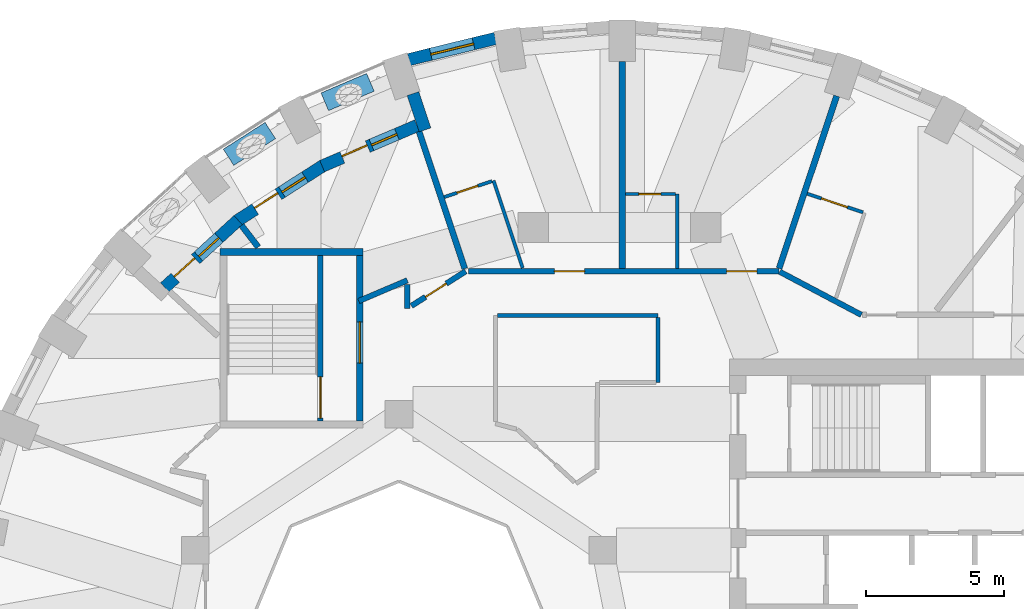
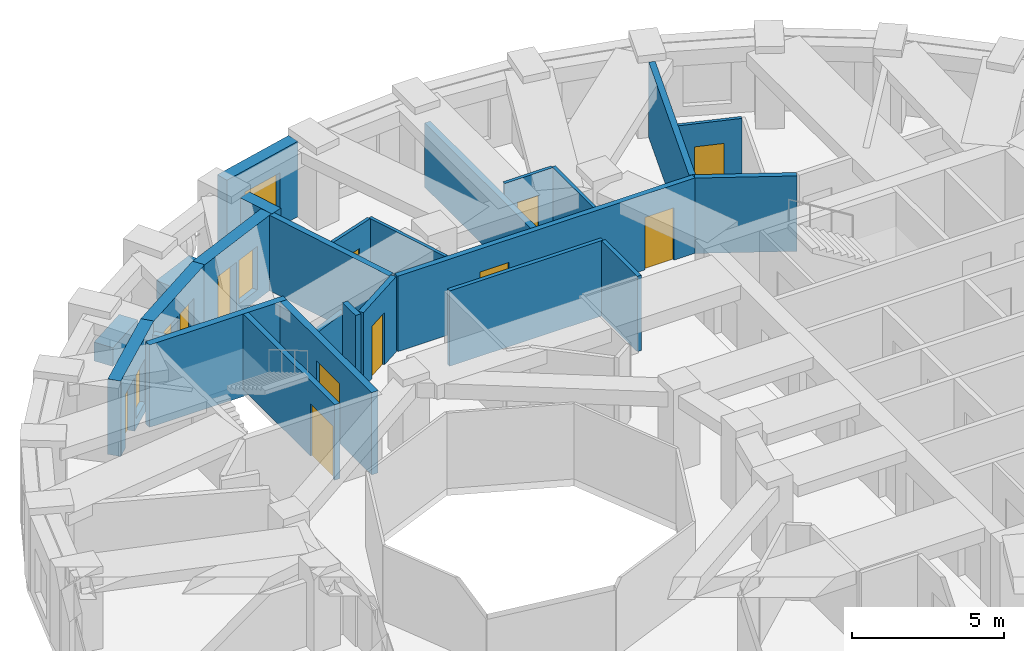
# One storey, part 7 of 12: 26 walls, 11 doors, 4 windows, 15 openings.
"""IFC4 building model written with IfcOpenShell, lengths in metres."""

from ifc_helpers import new_model, si_unit, direction, frame, frame_2d, origin, place, context, subcontext, project, spatial, rectangle, extrude, material, layer, layer_set, constituent, constituent_set, type_object, element, fill, save


model = new_model("IFC4")

# Units and contexts
model_context = context("Model", 3, precision=1e-05, world=origin(), true_north=direction((0.0, 1.0)))
body_context = subcontext(model_context, "Body", "Model", "MODEL_VIEW")
ifc_project = project(units=[si_unit("LENGTHUNIT", "METRE"), si_unit("AREAUNIT", "SQUARE_METRE"), si_unit("VOLUMEUNIT", "CUBIC_METRE"), si_unit("PLANEANGLEUNIT", "RADIAN"), si_unit("MASSUNIT", "GRAM", prefix="KILO")], contexts=[model_context])

# Site, building, storey
site_placement = place(None, origin())
site = spatial("IfcSite", under=ifc_project, at=site_placement, CompositionType="ELEMENT")
building_placement = place(site_placement, origin())
building = spatial("IfcBuilding", under=site, at=building_placement, Name="Taillehof Tower", CompositionType="ELEMENT")
storey_placement = place(building_placement, frame((0.0, 0.0, 168.199951171875)))
storey = spatial("IfcBuildingStorey", under=building, at=storey_placement, Name="L47", CompositionType="ELEMENT", Elevation=168.199951171875)

# Wall, opening, window
ifc_material_1 = material(Name="Brick masonry", Category="masonry")
ifc_layer_1 = layer(ifc_material_1, 0.449951171875)
ifc_layer_set_1 = layer_set([ifc_layer_1], Name="Brick infill wall 450")
wall_type_1 = type_object("IfcWallType", Name="Brick infill wall 450", PredefinedType="SOLIDWALL", material=ifc_layer_set_1)
wall_1_placement = place(storey_placement, frame((-4.499267578125, 21.633056640625, 0.0), z_axis=(0.0, 0.0, 1.0), x_axis=(-0.971232901476, -0.238131583563, 0.0)))
wall_1 = element("IfcWall", 1, at=wall_1_placement, inside=storey, type_object=wall_type_1, Name="Brick wall L47 bay 11", PredefinedType="SOLIDWALL", context=body_context, shape_type="SweptSolid", body=[
    extrude(rectangle(XDim=3.236572265625, YDim=0.449951171875, at=frame_2d((1.6181640625, 0.0))), origin(), (0.0, 0.0, 1.0), 3.02001953125),
])
opening_1_placement = place(wall_1_placement, frame((0.818359375, 0.0, 0.39990234375)))
opening_1 = element("IfcOpeningElement", 2, at=opening_1_placement, cuts=wall_1, Name="Opening W3", PredefinedType="OPENING", context=body_context, shape_type="SweptSolid", body=[
    extrude(rectangle(XDim=1.60009765625, YDim=1.75, at=frame_2d((0.800048828125, 0.875))), frame((0.0, 0.23486328125, 0.0), z_axis=(0.0, -1.0, 0.0), x_axis=(1.0, 0.0, 0.0)), (0.0, 0.0, 1.0), 0.469970703125),
])
ifc_material_2 = material(Name="Aluminium window frame with clear double glazing", Category="aluminium")
window_type_1 = type_object("IfcWindowType", Name="Deep-set window 1600x1750", PartitioningType="SINGLE_PANEL", PredefinedType="WINDOW", material=ifc_material_2)
window_1_placement = place(opening_1_placement, origin())
window_1 = element("IfcWindow", 3, at=window_1_placement, inside=storey, type_object=window_type_1, Name="W3", OverallHeight=1.75, OverallWidth=1.60009765625, PartitioningType="SINGLE_PANEL", PredefinedType="WINDOW", context=body_context, shape_type="SweptSolid", body=[
    extrude(rectangle(XDim=1.60009765625, YDim=1.75, at=frame_2d((0.800048828125, 0.875))), frame((0.0, 0.034912109375, 0.0), z_axis=(0.0, -1.0, 0.0), x_axis=(1.0, 0.0, 0.0)), (0.0, 0.0, 1.0), 0.06005859375),
])
fill(opening_1, window_1)

# Wall
wall_2_placement = place(storey_placement, frame((-7.494873046875, 19.62890625, 0.0), z_axis=(0.0, 0.0, 1.0), x_axis=(0.316754470825, -0.948507567293, 0.0)))
element("IfcWall", 4, at=wall_2_placement, inside=storey, type_object=wall_type_1, Name="Brick reveal L47 pocket 3", PredefinedType="SOLIDWALL", context=body_context, shape_type="SweptSolid", body=[
    extrude(rectangle(XDim=1.390380859375, YDim=0.449951171875, at=frame_2d((0.6953125, 0.0))), origin(), (0.0, 0.0, 1.0), 3.02001953125),
])

# Wall, openings, door, window
wall_3_placement = place(storey_placement, frame((-7.34521484375, 18.470458984375, 0.0), z_axis=(0.0, 0.0, 1.0), x_axis=(-0.919454986573, -0.393195279304, 0.0)))
wall_3 = element("IfcWall", 5, at=wall_3_placement, inside=storey, type_object=wall_type_1, Name="Brick wall L47 pocket bay 12", PredefinedType="SOLIDWALL", context=body_context, shape_type="SweptSolid", body=[
    extrude(rectangle(XDim=3.74462890625, YDim=0.449951171875, at=frame_2d((1.872314453125, 0.0))), origin(), (0.0, 0.0, 1.0), 3.02001953125),
])
opening_2_placement = place(wall_3_placement, frame((0.79736328125, 0.0, 0.39990234375)))
opening_2 = element("IfcOpeningElement", 6, at=opening_2_placement, cuts=wall_3, Name="Opening W5", PredefinedType="OPENING", context=body_context, shape_type="SweptSolid", body=[
    extrude(rectangle(XDim=1.0, YDim=1.75, at=frame_2d((0.5, 0.875))), frame((0.0, 0.23486328125, 0.0), z_axis=(0.0, -1.0, 0.0), x_axis=(1.0, 0.0, 0.0)), (0.0, 0.0, 1.0), 0.469970703125),
])
opening_3_placement = place(wall_3_placement, frame((1.947265625, 0.0, 0.0)))
opening_3 = element("IfcOpeningElement", 7, at=opening_3_placement, cuts=wall_3, Name="Opening D4791", PredefinedType="OPENING", context=body_context, shape_type="SweptSolid", body=[
    extrude(rectangle(XDim=1.0, YDim=2.14990234375, at=frame_2d((0.5, 1.074951171875))), frame((0.0, 0.23486328125, 0.0), z_axis=(0.0, -1.0, 0.0), x_axis=(1.0, 0.0, 0.0)), (0.0, 0.0, 1.0), 0.469970703125),
])
ifc_material_3 = material(Name="Aluminium door frame with clear double glazing", Category="aluminium")
door_type_1 = type_object("IfcDoorType", Name="Balcony door 1000x2150", OperationType="SINGLE_SWING_RIGHT", PredefinedType="DOOR", material=ifc_material_3)
door_1_placement = place(opening_3_placement, frame((1.0, 0.0, 0.0), z_axis=(0.0, 0.0, 1.0), x_axis=(-1.0, 0.0, 0.0)))
door_1 = element("IfcDoor", 8, at=door_1_placement, inside=storey, type_object=door_type_1, Name="Balcony door L47 bay 12", OperationType="SINGLE_SWING_RIGHT", OverallHeight=2.14990234375, OverallWidth=1.0, PredefinedType="DOOR", context=body_context, shape_type="SweptSolid", body=[
    extrude(rectangle(XDim=1.0, YDim=2.14990234375, at=frame_2d((0.5, 1.074951171875))), frame((0.0, 0.0751953125, 0.0), z_axis=(0.0, -1.0, 0.0), x_axis=(1.0, 0.0, 0.0)), (0.0, 0.0, 1.0), 0.050048828125),
])
fill(opening_3, door_1)
ifc_material_4 = material(Name="Aluminium window frame with clear double glazing", Category="aluminium")
window_type_2 = type_object("IfcWindowType", Name="Fixed window 1000x1750", PartitioningType="SINGLE_PANEL", PredefinedType="WINDOW", material=ifc_material_4)
window_2_placement = place(opening_2_placement, origin())
window_2 = element("IfcWindow", 9, at=window_2_placement, inside=storey, type_object=window_type_2, Name="W5", OverallHeight=1.75, OverallWidth=1.0, PartitioningType="SINGLE_PANEL", PredefinedType="WINDOW", context=body_context, shape_type="SweptSolid", body=[
    extrude(rectangle(XDim=1.0, YDim=1.75, at=frame_2d((0.5, 0.875))), frame((0.0, 0.034912109375, 0.0), z_axis=(0.0, -1.0, 0.0), x_axis=(1.0, 0.0, 0.0)), (0.0, 0.0, 1.0), 0.06005859375),
])
fill(opening_2, window_2)

wall_4_placement = place(storey_placement, frame((-10.755126953125, 17.015625, 0.0), z_axis=(0.0, 0.0, 1.0), x_axis=(-0.841405539996, -0.540404216549, 0.0)))
wall_4 = element("IfcWall", 10, at=wall_4_placement, inside=storey, type_object=wall_type_1, Name="Brick wall L47 pocket bay 13", PredefinedType="SOLIDWALL", context=body_context, shape_type="SweptSolid", body=[
    extrude(rectangle(XDim=3.701904296875, YDim=0.449951171875, at=frame_2d((1.85107421875, 0.0))), origin(), (0.0, 0.0, 1.0), 3.02001953125),
])
opening_4_placement = place(wall_4_placement, frame((0.77587890625, 0.0, 0.39990234375)))
opening_4 = element("IfcOpeningElement", 11, at=opening_4_placement, cuts=wall_4, Name="Opening W5", PredefinedType="OPENING", context=body_context, shape_type="SweptSolid", body=[
    extrude(rectangle(XDim=1.0, YDim=1.75, at=frame_2d((0.5, 0.875))), frame((0.0, 0.23486328125, 0.0), z_axis=(0.0, -1.0, 0.0), x_axis=(1.0, 0.0, 0.0)), (0.0, 0.0, 1.0), 0.469970703125),
])
opening_5_placement = place(wall_4_placement, frame((1.926025390625, 0.0, 0.0)))
opening_5 = element("IfcOpeningElement", 12, at=opening_5_placement, cuts=wall_4, Name="Opening D4792", PredefinedType="OPENING", context=body_context, shape_type="SweptSolid", body=[
    extrude(rectangle(XDim=1.0, YDim=2.14990234375, at=frame_2d((0.5, 1.074951171875))), frame((0.0, 0.23486328125, 0.0), z_axis=(0.0, -1.0, 0.0), x_axis=(1.0, 0.0, 0.0)), (0.0, 0.0, 1.0), 0.469970703125),
])
door_2_placement = place(opening_5_placement, frame((1.0, 0.0, 0.0), z_axis=(0.0, 0.0, 1.0), x_axis=(-1.0, 0.0, 0.0)))
door_2 = element("IfcDoor", 13, at=door_2_placement, inside=storey, type_object=door_type_1, Name="Balcony door L47 bay 13", OperationType="SINGLE_SWING_LEFT", OverallHeight=2.14990234375, OverallWidth=1.0, PredefinedType="DOOR", context=body_context, shape_type="SweptSolid", body=[
    extrude(rectangle(XDim=1.0, YDim=2.14990234375, at=frame_2d((0.5, 1.074951171875))), frame((0.0, 0.0751953125, 0.0), z_axis=(0.0, -1.0, 0.0), x_axis=(1.0, 0.0, 0.0)), (0.0, 0.0, 1.0), 0.050048828125),
])
fill(opening_5, door_2)
window_3_placement = place(opening_4_placement, origin())
window_3 = element("IfcWindow", 14, at=window_3_placement, inside=storey, type_object=window_type_2, Name="W5", OverallHeight=1.75, OverallWidth=1.0, PartitioningType="SINGLE_PANEL", PredefinedType="WINDOW", context=body_context, shape_type="SweptSolid", body=[
    extrude(rectangle(XDim=1.0, YDim=1.75, at=frame_2d((0.5, 0.875))), frame((0.0, 0.034912109375, 0.0), z_axis=(0.0, -1.0, 0.0), x_axis=(1.0, 0.0, 0.0)), (0.0, 0.0, 1.0), 0.06005859375),
])
fill(opening_4, window_3)

wall_5_placement = place(storey_placement, frame((-13.83935546875, 15.03857421875, 0.0), z_axis=(0.0, 0.0, 1.0), x_axis=(-0.736971705023, -0.675923594791, 0.0)))
wall_5 = element("IfcWall", 15, at=wall_5_placement, inside=storey, type_object=wall_type_1, Name="Brick wall L47 pocket bay 14", PredefinedType="SOLIDWALL", context=body_context, shape_type="SweptSolid", body=[
    extrude(rectangle(XDim=3.611328125, YDim=0.449951171875, at=frame_2d((1.8056640625, 0.0))), origin(), (0.0, 0.0, 1.0), 3.02001953125),
])
opening_6_placement = place(wall_5_placement, frame((0.94580078125, 0.0, 0.39990234375)))
opening_6 = element("IfcOpeningElement", 16, at=opening_6_placement, cuts=wall_5, Name="Opening W5", PredefinedType="OPENING", context=body_context, shape_type="SweptSolid", body=[
    extrude(rectangle(XDim=1.0, YDim=1.75, at=frame_2d((0.5, 0.875))), frame((0.0, 0.23486328125, 0.0), z_axis=(0.0, -1.0, 0.0), x_axis=(1.0, 0.0, 0.0)), (0.0, 0.0, 1.0), 0.469970703125),
])
opening_7_placement = place(wall_5_placement, frame((2.095947265625, 0.0, 0.0)))
opening_7 = element("IfcOpeningElement", 17, at=opening_7_placement, cuts=wall_5, Name="Opening D4793", PredefinedType="OPENING", context=body_context, shape_type="SweptSolid", body=[
    extrude(rectangle(XDim=1.0, YDim=2.14990234375, at=frame_2d((0.5, 1.074951171875))), frame((0.0, 0.23486328125, 0.0), z_axis=(0.0, -1.0, 0.0), x_axis=(1.0, 0.0, 0.0)), (0.0, 0.0, 1.0), 0.469970703125),
])
door_3_placement = place(opening_7_placement, origin())
door_3 = element("IfcDoor", 18, at=door_3_placement, inside=storey, type_object=door_type_1, Name="Balcony door L47 bay 14", OperationType="SINGLE_SWING_LEFT", OverallHeight=2.14990234375, OverallWidth=1.0, PredefinedType="DOOR", context=body_context, shape_type="SweptSolid", body=[
    extrude(rectangle(XDim=1.0, YDim=2.14990234375, at=frame_2d((0.5, 1.074951171875))), frame((0.0, -0.02490234375, 0.0), z_axis=(0.0, -1.0, 0.0), x_axis=(1.0, 0.0, 0.0)), (0.0, 0.0, 1.0), 0.050048828125),
])
fill(opening_7, door_3)
window_4_placement = place(opening_6_placement, origin())
window_4 = element("IfcWindow", 19, at=window_4_placement, inside=storey, type_object=window_type_2, Name="W5", OverallHeight=1.75, OverallWidth=1.0, PartitioningType="SINGLE_PANEL", PredefinedType="WINDOW", context=body_context, shape_type="SweptSolid", body=[
    extrude(rectangle(XDim=1.0, YDim=1.75, at=frame_2d((0.5, 0.875))), frame((0.0, 0.034912109375, 0.0), z_axis=(0.0, -1.0, 0.0), x_axis=(1.0, 0.0, 0.0)), (0.0, 0.0, 1.0), 0.06005859375),
])
fill(opening_6, window_4)

# Walls
ifc_material_5 = material(Name="Gypsum board on steel studs, two layers each side", Category="steel")
ifc_layer_2 = layer(ifc_material_5, 0.199951171875)
ifc_layer_set_2 = layer_set([ifc_layer_2], Name="Compartment wall corridor 200")
wall_type_2 = type_object("IfcWallType", Name="Compartment wall corridor 200", PredefinedType="PARTITIONING", material=ifc_layer_set_2)
wall_6_placement = place(storey_placement, frame((-9.46044921875, 12.1005859375, 0.0), z_axis=(0.0, 0.0, 1.0), x_axis=(0.919441549003, 0.393226700475, 0.0)))
element("IfcWall", 20, at=wall_6_placement, inside=storey, type_object=wall_type_2, Name="Compartment wall", PredefinedType="PARTITIONING", context=body_context, shape_type="SweptSolid", body=[
    extrude(rectangle(XDim=1.914794921875, YDim=0.199951171875, at=frame_2d((0.95751953125, 0.0))), origin(), (0.0, 0.0, 1.0), 2.570068359375),
])
wall_7_placement = place(storey_placement, frame((-7.699951171875, 12.693359375, 0.0), z_axis=(0.0, 0.0, 1.0), x_axis=(0.0, -1.0, 0.0)))
element("IfcWall", 21, at=wall_7_placement, inside=storey, type_object=wall_type_2, Name="Compartment wall", PredefinedType="PARTITIONING", context=body_context, shape_type="SweptSolid", body=[
    extrude(rectangle(XDim=0.864013671875, YDim=0.199951171875, at=frame_2d((0.43212890625, 0.0))), origin(), (0.0, 0.0, 1.0), 3.02001953125),
])

# Wall, opening, door
wall_8_placement = place(storey_placement, frame((-7.54833984375, 11.926025390625, 0.0), z_axis=(0.0, 0.0, 1.0), x_axis=(0.842760799664, 0.538288244855, 0.0)))
wall_8 = element("IfcWall", 22, at=wall_8_placement, inside=storey, type_object=wall_type_2, Name="Compartment wall", PredefinedType="PARTITIONING", context=body_context, shape_type="SweptSolid", body=[
    extrude(rectangle(XDim=2.335693359375, YDim=0.199951171875, at=frame_2d((1.16796875, 0.0))), origin(), (0.0, 0.0, 1.0), 3.02001953125),
])
opening_8_placement = place(wall_8_placement, frame((0.602294921875, 0.0, 0.0)))
opening_8 = element("IfcOpeningElement", 23, at=opening_8_placement, cuts=wall_8, Name="Opening D4746", PredefinedType="OPENING", context=body_context, shape_type="SweptSolid", body=[
    extrude(rectangle(XDim=0.89990234375, YDim=2.10009765625, at=frame_2d((0.449951171875, 1.050048828125))), frame((0.0, 0.10986328125, 0.0), z_axis=(0.0, -1.0, 0.0), x_axis=(1.0, 0.0, 0.0)), (0.0, 0.0, 1.0), 0.219970703125),
])
ifc_material_6 = material(Name="Timber door leaf in steel frame", Category="steel")
door_type_2 = type_object("IfcDoorType", Name="Service room door EI 30 900 x 2100", OperationType="SINGLE_SWING_LEFT", PredefinedType="DOOR", material=ifc_material_6)
door_4_placement = place(opening_8_placement, origin())
door_4 = element("IfcDoor", 24, at=door_4_placement, inside=storey, type_object=door_type_2, Name="D4746", OperationType="SINGLE_SWING_LEFT", OverallHeight=2.10009765625, OverallWidth=0.89990234375, PredefinedType="DOOR", context=body_context, shape_type="SweptSolid", body=[
    extrude(rectangle(XDim=0.89990234375, YDim=2.10009765625, at=frame_2d((0.449951171875, 1.050048828125))), frame((0.0, 0.02490234375, 0.0), z_axis=(0.0, -1.0, 0.0), x_axis=(1.0, 0.0, 0.0)), (0.0, 0.0, 1.0), 0.050048828125),
])
fill(opening_8, door_4)

# Wall, openings, doors
wall_9_placement = place(storey_placement, frame((-5.479736328125, 13.183349609375, 0.0), z_axis=(0.0, 0.0, 1.0), x_axis=(1.0, 0.0, 0.0)))
wall_9 = element("IfcWall", 25, at=wall_9_placement, inside=storey, type_object=wall_type_2, Name="Compartment wall", PredefinedType="PARTITIONING", context=body_context, shape_type="SweptSolid", body=[
    extrude(rectangle(XDim=11.259765625, YDim=0.199951171875, at=frame_2d((5.6298828125, 0.0))), origin(), (0.0, 0.0, 1.0), 3.02001953125),
])
opening_9_placement = place(wall_9_placement, frame((9.368408203125, 0.0, 0.0)))
opening_9 = element("IfcOpeningElement", 26, at=opening_9_placement, cuts=wall_9, Name="Opening D4742", PredefinedType="OPENING", context=body_context, shape_type="SweptSolid", body=[
    extrude(rectangle(XDim=1.10009765625, YDim=2.10009765625, at=frame_2d((0.550048828125, 1.050048828125))), frame((0.0, 0.10986328125, 0.0), z_axis=(0.0, -1.0, 0.0), x_axis=(1.0, 0.0, 0.0)), (0.0, 0.0, 1.0), 0.219970703125),
])
opening_10_placement = place(wall_9_placement, frame((3.114501953125, 0.0, 0.0)))
opening_10 = element("IfcOpeningElement", 27, at=opening_10_placement, cuts=wall_9, Name="Opening D4744", PredefinedType="OPENING", context=body_context, shape_type="SweptSolid", body=[
    extrude(rectangle(XDim=1.10009765625, YDim=2.10009765625, at=frame_2d((0.550048828125, 1.050048828125))), frame((0.0, 0.10986328125, 0.0), z_axis=(0.0, -1.0, 0.0), x_axis=(1.0, 0.0, 0.0)), (0.0, 0.0, 1.0), 0.219970703125),
])
ifc_material_7 = material(Name="Timber door leaf in steel frame", Category="steel")
door_type_3 = type_object("IfcDoorType", Name="Suite entrance door EI 30 1100 x 2100", OperationType="SINGLE_SWING_LEFT", PredefinedType="DOOR", material=ifc_material_7)
door_5_placement = place(opening_9_placement, origin())
door_5 = element("IfcDoor", 28, at=door_5_placement, inside=storey, type_object=door_type_3, Name="D4742", OperationType="SINGLE_SWING_RIGHT", OverallHeight=2.10009765625, OverallWidth=1.10009765625, PredefinedType="DOOR", context=body_context, shape_type="SweptSolid", body=[
    extrude(rectangle(XDim=1.10009765625, YDim=2.10009765625, at=frame_2d((0.550048828125, 1.050048828125))), frame((0.0, 0.02490234375, 0.0), z_axis=(0.0, -1.0, 0.0), x_axis=(1.0, 0.0, 0.0)), (0.0, 0.0, 1.0), 0.050048828125),
])
fill(opening_9, door_5)
door_6_placement = place(opening_10_placement, origin())
door_6 = element("IfcDoor", 29, at=door_6_placement, inside=storey, type_object=door_type_3, Name="D4744", OperationType="SINGLE_SWING_LEFT", OverallHeight=2.10009765625, OverallWidth=1.10009765625, PredefinedType="DOOR", context=body_context, shape_type="SweptSolid", body=[
    extrude(rectangle(XDim=1.10009765625, YDim=2.10009765625, at=frame_2d((0.550048828125, 1.050048828125))), frame((0.0, 0.02490234375, 0.0), z_axis=(0.0, -1.0, 0.0), x_axis=(1.0, 0.0, 0.0)), (0.0, 0.0, 1.0), 0.050048828125),
])
fill(opening_10, door_6)

# Walls
wall_10_placement = place(storey_placement, frame((5.815185546875, 13.164794921875, 0.0), z_axis=(0.0, 0.0, 1.0), x_axis=(0.884172365794, -0.46716081553, 0.0)))
element("IfcWall", 30, at=wall_10_placement, inside=storey, type_object=wall_type_2, Name="Compartment wall", PredefinedType="PARTITIONING", context=body_context, shape_type="SweptSolid", body=[
    extrude(rectangle(XDim=3.349365234375, YDim=0.199951171875, at=frame_2d((1.6748046875, 0.0))), origin(), (0.0, 0.0, 1.0), 3.02001953125),
])
ifc_material_8 = material(Name="Gypsum board on double steel studs with mineral wool", Category="steel")
ifc_layer_3 = layer(ifc_material_8, 0.219970703125)
ifc_layer_set_3 = layer_set([ifc_layer_3], Name="Compartment wall guest room 220")
wall_type_3 = type_object("IfcWallType", Name="Compartment wall guest room 220", PredefinedType="PARTITIONING", material=ifc_layer_set_3)
wall_11_placement = place(storey_placement, frame((7.8828125, 19.544921875, 0.0), z_axis=(0.0, 0.0, 1.0), x_axis=(-0.316704947573, -0.948524104166, 0.0)))
element("IfcWall", 31, at=wall_11_placement, inside=storey, type_object=wall_type_3, Name="Compartment wall", PredefinedType="PARTITIONING", context=body_context, shape_type="SweptSolid", body=[
    extrude(rectangle(XDim=6.599365234375, YDim=0.219970703125, at=frame_2d((3.2998046875, 0.0))), origin(), (0.0, 0.0, 1.0), 3.02001953125),
])
wall_12_placement = place(storey_placement, frame((0.10009765625, 20.800048828125, 0.0), z_axis=(0.0, 0.0, 1.0), x_axis=(0.0, -1.0, 0.0)))
element("IfcWall", 32, at=wall_12_placement, inside=storey, type_object=wall_type_3, Name="Compartment wall", PredefinedType="PARTITIONING", context=body_context, shape_type="SweptSolid", body=[
    extrude(rectangle(XDim=7.5166015625, YDim=0.219970703125, at=frame_2d((3.75830078125, 0.0))), origin(), (0.0, 0.0, 1.0), 2.570068359375),
])
wall_13_placement = place(storey_placement, frame((-7.27392578125, 18.25634765625, 0.0), z_axis=(0.0, 0.0, 1.0), x_axis=(0.316758050248, -0.948506371936, 0.0)))
element("IfcWall", 33, at=wall_13_placement, inside=storey, type_object=wall_type_3, Name="Compartment wall", PredefinedType="PARTITIONING", context=body_context, shape_type="SweptSolid", body=[
    extrude(rectangle(XDim=5.248046875, YDim=0.219970703125, at=frame_2d((2.6240234375, 0.0))), origin(), (0.0, 0.0, 1.0), 3.02001953125),
])
wall_14_placement = place(storey_placement, frame((-13.716064453125, 14.846435546875, 0.0), z_axis=(0.0, 0.0, 1.0), x_axis=(0.609971806764, -0.792423116115, 0.0)))
element("IfcWall", 34, at=wall_14_placement, inside=storey, type_object=wall_type_3, Name="Compartment wall", PredefinedType="PARTITIONING", context=body_context, shape_type="SweptSolid", body=[
    extrude(rectangle(XDim=0.994140625, YDim=0.219970703125, at=frame_2d((0.4970703125, 0.0))), origin(), (0.0, 0.0, 1.0), 2.570068359375),
])
ifc_material_9 = material(Name="Gypsum board on steel studs, two layers each side", Category="steel")
ifc_layer_4 = layer(ifc_material_9, 0.14990234375)
ifc_layer_set_4 = layer_set([ifc_layer_4], Name="Compartment wall service room 150")
wall_type_4 = type_object("IfcWallType", Name="Compartment wall service room 150", PredefinedType="PARTITIONING", material=ifc_layer_set_4)
wall_15_placement = place(storey_placement, frame((-4.419921875, 11.583251953125, 0.0), z_axis=(0.0, 0.0, 1.0), x_axis=(1.0, 0.0, 0.0)))
element("IfcWall", 35, at=wall_15_placement, inside=storey, type_object=wall_type_4, Name="Compartment wall", PredefinedType="PARTITIONING", context=body_context, shape_type="SweptSolid", body=[
    extrude(rectangle(XDim=5.81982421875, YDim=0.14990234375, at=frame_2d((2.909912109375, 0.0))), origin(), (0.0, 0.0, 1.0), 3.02001953125),
])
wall_16_placement = place(storey_placement, frame((1.39990234375, 11.503173828125, 0.0), z_axis=(0.0, 0.0, 1.0), x_axis=(0.0, -1.0, 0.0)))
element("IfcWall", 36, at=wall_16_placement, inside=storey, type_object=wall_type_4, Name="Compartment wall", PredefinedType="PARTITIONING", context=body_context, shape_type="SweptSolid", body=[
    extrude(rectangle(XDim=2.353271484375, YDim=0.14990234375, at=frame_2d((1.1767578125, 0.0))), origin(), (0.0, 0.0, 1.0), 3.02001953125),
])
ifc_material_10 = material(Name="Gypsum board on steel studs, moisture resistant", Category="steel")
ifc_layer_5 = layer(ifc_material_10, 0.1201171875)
ifc_layer_set_5 = layer_set([ifc_layer_5], Name="En-suite wall 120")
wall_type_5 = type_object("IfcWallType", Name="En-suite wall 120", PredefinedType="PARTITIONING", material=ifc_layer_set_5)
wall_17_placement = place(storey_placement, frame((2.10009765625, 13.283447265625, 0.0), z_axis=(0.0, 0.0, 1.0), x_axis=(0.0, 1.0, 0.0)))
element("IfcWall", 37, at=wall_17_placement, inside=storey, type_object=wall_type_5, Name="En-suite wall", PredefinedType="PARTITIONING", context=body_context, shape_type="SweptSolid", body=[
    extrude(rectangle(XDim=2.69970703125, YDim=0.1201171875, at=frame_2d((1.349853515625, 0.0))), origin(), (0.0, 0.0, 1.0), 3.02001953125),
])
wall_18_placement = place(storey_placement, frame((-3.51123046875, 13.302490234375, 0.0), z_axis=(0.0, 0.0, 1.0), x_axis=(-0.316666024344, 0.948537099447, 0.0)))
element("IfcWall", 38, at=wall_18_placement, inside=storey, type_object=wall_type_5, Name="En-suite wall", PredefinedType="PARTITIONING", context=body_context, shape_type="SweptSolid", body=[
    extrude(rectangle(XDim=3.34228515625, YDim=0.1201171875, at=frame_2d((1.671142578125, 0.0))), origin(), (0.0, 0.0, 1.0), 3.02001953125),
])

# Wall, opening, door
wall_19_placement = place(storey_placement, frame((8.83349609375, 15.319580078125, 0.0), z_axis=(0.0, 0.0, 1.0), x_axis=(-0.948557130447, 0.316606017438, 0.0)))
wall_19 = element("IfcWall", 39, at=wall_19_placement, inside=storey, type_object=wall_type_5, Name="En-suite wall", PredefinedType="PARTITIONING", context=body_context, shape_type="SweptSolid", body=[
    extrude(rectangle(XDim=2.1298828125, YDim=0.1201171875, at=frame_2d((1.06494140625, 0.0))), origin(), (0.0, 0.0, 1.0), 3.02001953125),
])
opening_11_placement = place(wall_19_placement, frame((0.58984375, 0.0, 0.0)))
opening_11 = element("IfcOpeningElement", 40, at=opening_11_placement, cuts=wall_19, Name="Opening D4741", PredefinedType="OPENING", context=body_context, shape_type="SweptSolid", body=[
    extrude(rectangle(XDim=1.0, YDim=2.10009765625, at=frame_2d((0.5, 1.050048828125))), frame((0.0, 0.070068359375, 0.0), z_axis=(0.0, -1.0, 0.0), x_axis=(1.0, 0.0, 0.0)), (0.0, 0.0, 1.0), 0.14013671875),
])
ifc_material_11 = material(Name="Timber door leaf in steel frame", Category="steel")
door_type_4 = type_object("IfcDoorType", Name="Accessible en-suite door 1000 x 2100", OperationType="SINGLE_SWING_LEFT", PredefinedType="DOOR", material=ifc_material_11)
door_7_placement = place(opening_11_placement, origin())
door_7 = element("IfcDoor", 41, at=door_7_placement, inside=storey, type_object=door_type_4, Name="D4741", OperationType="SINGLE_SWING_LEFT", OverallHeight=2.10009765625, OverallWidth=1.0, PredefinedType="DOOR", context=body_context, shape_type="SweptSolid", body=[
    extrude(rectangle(XDim=1.0, YDim=2.10009765625, at=frame_2d((0.5, 1.050048828125))), frame((0.0, 0.02490234375, 0.0), z_axis=(0.0, -1.0, 0.0), x_axis=(1.0, 0.0, 0.0)), (0.0, 0.0, 1.0), 0.050048828125),
])
fill(opening_11, door_7)

wall_20_placement = place(storey_placement, frame((2.0400390625, 15.983154296875, 0.0), z_axis=(0.0, 0.0, 1.0), x_axis=(-1.0, 0.0, 0.0)))
wall_20 = element("IfcWall", 42, at=wall_20_placement, inside=storey, type_object=wall_type_5, Name="En-suite wall", PredefinedType="PARTITIONING", context=body_context, shape_type="SweptSolid", body=[
    extrude(rectangle(XDim=1.829833984375, YDim=0.1201171875, at=frame_2d((0.9150390625, 0.0))), origin(), (0.0, 0.0, 1.0), 3.02001953125),
])
opening_12_placement = place(wall_20_placement, frame((0.5400390625, 0.0, 0.0)))
opening_12 = element("IfcOpeningElement", 43, at=opening_12_placement, cuts=wall_20, Name="Opening D4743", PredefinedType="OPENING", context=body_context, shape_type="SweptSolid", body=[
    extrude(rectangle(XDim=0.800048828125, YDim=2.10009765625, at=frame_2d((0.39990234375, 1.050048828125))), frame((0.0, 0.070068359375, 0.0), z_axis=(0.0, -1.0, 0.0), x_axis=(1.0, 0.0, 0.0)), (0.0, 0.0, 1.0), 0.14013671875),
])
ifc_material_12 = material(Name="Timber door leaf in steel frame", Category="steel")
door_type_5 = type_object("IfcDoorType", Name="En-suite door 800 x 2100", OperationType="SINGLE_SWING_LEFT", PredefinedType="DOOR", material=ifc_material_12)
door_8_placement = place(opening_12_placement, origin())
door_8 = element("IfcDoor", 44, at=door_8_placement, inside=storey, type_object=door_type_5, Name="D4743", OperationType="SINGLE_SWING_LEFT", OverallHeight=2.10009765625, OverallWidth=0.800048828125, PredefinedType="DOOR", context=body_context, shape_type="SweptSolid", body=[
    extrude(rectangle(XDim=0.800048828125, YDim=2.10009765625, at=frame_2d((0.39990234375, 1.050048828125))), frame((0.0, 0.02490234375, 0.0), z_axis=(0.0, -1.0, 0.0), x_axis=(1.0, 0.0, 0.0)), (0.0, 0.0, 1.0), 0.050048828125),
])
fill(opening_12, door_8)

wall_21_placement = place(storey_placement, frame((-4.62646484375, 16.45361328125, 0.0), z_axis=(0.0, 0.0, 1.0), x_axis=(-0.9485230882, -0.31670799035, 0.0)))
wall_21 = element("IfcWall", 45, at=wall_21_placement, inside=storey, type_object=wall_type_5, Name="En-suite wall", PredefinedType="PARTITIONING", context=body_context, shape_type="SweptSolid", body=[
    extrude(rectangle(XDim=1.830078125, YDim=0.1201171875, at=frame_2d((0.9150390625, 0.0))), origin(), (0.0, 0.0, 1.0), 3.02001953125),
])
opening_13_placement = place(wall_21_placement, frame((0.5400390625, 0.0, 0.0)))
opening_13 = element("IfcOpeningElement", 46, at=opening_13_placement, cuts=wall_21, Name="Opening D4745", PredefinedType="OPENING", context=body_context, shape_type="SweptSolid", body=[
    extrude(rectangle(XDim=0.800048828125, YDim=2.10009765625, at=frame_2d((0.39990234375, 1.050048828125))), frame((0.0, 0.070068359375, 0.0), z_axis=(0.0, -1.0, 0.0), x_axis=(1.0, 0.0, 0.0)), (0.0, 0.0, 1.0), 0.14013671875),
])
door_9_placement = place(opening_13_placement, origin())
door_9 = element("IfcDoor", 47, at=door_9_placement, inside=storey, type_object=door_type_5, Name="D4745", OperationType="SINGLE_SWING_LEFT", OverallHeight=2.10009765625, OverallWidth=0.800048828125, PredefinedType="DOOR", context=body_context, shape_type="SweptSolid", body=[
    extrude(rectangle(XDim=0.800048828125, YDim=2.10009765625, at=frame_2d((0.39990234375, 1.050048828125))), frame((0.0, 0.02490234375, 0.0), z_axis=(0.0, -1.0, 0.0), x_axis=(1.0, 0.0, 0.0)), (0.0, 0.0, 1.0), 0.050048828125),
])
fill(opening_13, door_9)

# Walls
ifc_material_13 = material(Name="Concrete C30/37 precast", Category="concrete")
ifc_constituent_1 = constituent(ifc_material_13, Name="Structure", Category="concrete")
ifc_material_14 = material(Name="Insulated lining")
ifc_constituent_2 = constituent(ifc_material_14, Name="Lining")
ifc_constituent_set = constituent_set(constituents=[ifc_constituent_1, ifc_constituent_2], Name="Planter trough 700x750")
wall_type_6 = type_object("IfcWallType", Name="Planter trough 700x750", PredefinedType="USERDEFINED", material=ifc_constituent_set)
for number, where, z_axis, x_axis, name in (
    (48, (-9.038818359375, 20.03759765625, 0.0), (0.0, 0.0, 1.0), (-0.919810148832, -0.3923637217, 0.0), "Planter L47 bay 12"),
    (49, (-12.67041015625, 18.28857421875, 0.0), (0.0, 0.0, 1.0), (-0.842032375698, -0.539426990682, 0.0), "Planter L47 bay 13"),
):
    element("IfcWall", number, at=place(storey_placement, frame(where, z_axis=z_axis, x_axis=x_axis)), inside=storey, type_object=wall_type_6, Name=name, ObjectType="PLANTER", PredefinedType="USERDEFINED", context=body_context, shape_type="SweptSolid", body=[
        extrude(rectangle(XDim=1.800048828125, YDim=0.699951171875, at=frame_2d((0.89990234375, 0.0))), origin(), (0.0, 0.0, 1.0), 0.75),
    ])

# Wall, opening, door
ifc_material_15 = material(Name="Concrete C50/60", Category="concrete")
ifc_layer_6 = layer(ifc_material_15, 0.199951171875)
ifc_layer_set_6 = layer_set([ifc_layer_6], Name="Shaft wall C50/60 200")
wall_type_7 = type_object("IfcWallType", Name="Shaft wall C50/60 200", PredefinedType="SHEAR", material=ifc_layer_set_6)
wall_22_placement = place(storey_placement, frame((-10.85009765625, 7.75, 0.0), z_axis=(0.0, 0.0, 1.0), x_axis=(0.0, 1.0, 0.0)))
wall_22 = element("IfcWall", 50, at=wall_22_placement, inside=storey, type_object=wall_type_7, Name="Shaft wall SW", PredefinedType="SHEAR", context=body_context, shape_type="SweptSolid", body=[
    extrude(rectangle(XDim=6.0, YDim=0.199951171875, at=frame_2d((3.0, 0.0))), origin(), (0.0, 0.0, 1.0), 3.02001953125),
])
opening_14_placement = place(wall_22_placement, frame((0.10009765625, 0.0, 0.0)))
opening_14 = element("IfcOpeningElement", 51, at=opening_14_placement, cuts=wall_22, Name="Opening D4712", PredefinedType="OPENING", context=body_context, shape_type="SweptSolid", body=[
    extrude(rectangle(XDim=1.5, YDim=2.10009765625, at=frame_2d((0.75, 1.050048828125))), frame((0.0, 0.10986328125, 0.0), z_axis=(0.0, -1.0, 0.0), x_axis=(1.0, 0.0, 0.0)), (0.0, 0.0, 1.0), 0.219970703125),
])
ifc_material_16 = material(Name="Steel-faced fire door", Category="steel")
door_type_6 = type_object("IfcDoorType", Name="Stair door 1500x2100", OperationType="DOUBLE_DOOR_SINGLE_SWING", PredefinedType="DOOR", material=ifc_material_16)
door_10_placement = place(opening_14_placement, origin())
door_10 = element("IfcDoor", 52, at=door_10_placement, inside=storey, type_object=door_type_6, Name="Stair lobby door S3", OperationType="DOUBLE_DOOR_SINGLE_SWING", OverallHeight=2.10009765625, OverallWidth=1.5, PredefinedType="DOOR", context=body_context, shape_type="SweptSolid", body=[
    extrude(rectangle(XDim=1.5, YDim=2.10009765625, at=frame_2d((0.75, 1.050048828125))), frame((0.0, 0.02490234375, 0.0), z_axis=(0.0, -1.0, 0.0), x_axis=(1.0, 0.0, 0.0)), (0.0, 0.0, 1.0), 0.050048828125),
])
fill(opening_14, door_10)

ifc_material_17 = material(Name="Concrete C50/60", Category="concrete")
ifc_layer_7 = layer(ifc_material_17, 0.25)
ifc_layer_set_7 = layer_set([ifc_layer_7], Name="Stair wall C50/60 250")
wall_type_8 = type_object("IfcWallType", Name="Stair wall C50/60 250", PredefinedType="SHEAR", material=ifc_layer_set_7)
wall_23_placement = place(storey_placement, frame((-9.425048828125, 7.75, -0.280029296875), z_axis=(0.0, 0.0, 1.0), x_axis=(0.0, 1.0, 0.0)))
wall_23 = element("IfcWall", 53, at=wall_23_placement, inside=storey, type_object=wall_type_8, Name="Stair wall SC", PredefinedType="SHEAR", context=body_context, shape_type="SweptSolid", body=[
    extrude(rectangle(XDim=6.0, YDim=0.25, at=frame_2d((3.0, 0.0))), origin(), (0.0, 0.0, 1.0), 3.300048828125),
])
opening_15_placement = place(wall_23_placement, frame((2.10009765625, 0.0, 0.280029296875)))
opening_15 = element("IfcOpeningElement", 54, at=opening_15_placement, cuts=wall_23, Name="Opening D4715", PredefinedType="OPENING", context=body_context, shape_type="SweptSolid", body=[
    extrude(rectangle(XDim=1.5, YDim=2.10009765625, at=frame_2d((0.75, 1.050048828125))), frame((0.0, 0.135009765625, 0.0), z_axis=(0.0, -1.0, 0.0), x_axis=(1.0, 0.0, 0.0)), (0.0, 0.0, 1.0), 0.27001953125),
])
door_11_placement = place(opening_15_placement, origin())
door_11 = element("IfcDoor", 55, at=door_11_placement, inside=storey, type_object=door_type_6, Name="Stair door S3", OperationType="DOUBLE_DOOR_SINGLE_SWING", OverallHeight=2.10009765625, OverallWidth=1.5, PredefinedType="DOOR", context=body_context, shape_type="SweptSolid", body=[
    extrude(rectangle(XDim=1.5, YDim=2.10009765625, at=frame_2d((0.75, 1.050048828125))), frame((0.0, 0.02490234375, 0.0), z_axis=(0.0, -1.0, 0.0), x_axis=(1.0, 0.0, 0.0)), (0.0, 0.0, 1.0), 0.050048828125),
])
fill(opening_15, door_11)

# Wall
wall_24_placement = place(storey_placement, frame((-14.5, 13.875, -0.280029296875), z_axis=(0.0, 0.0, 1.0), x_axis=(1.0, 0.0, 0.0)))
element("IfcWall", 56, at=wall_24_placement, inside=storey, type_object=wall_type_8, Name="Stair wall SC", PredefinedType="SHEAR", context=body_context, shape_type="SweptSolid", body=[
    extrude(rectangle(XDim=5.199951171875, YDim=0.25, at=frame_2d((2.60009765625, 0.0))), origin(), (0.0, 0.0, 1.0), 3.300048828125),
])

save(model, "model.ifc")
